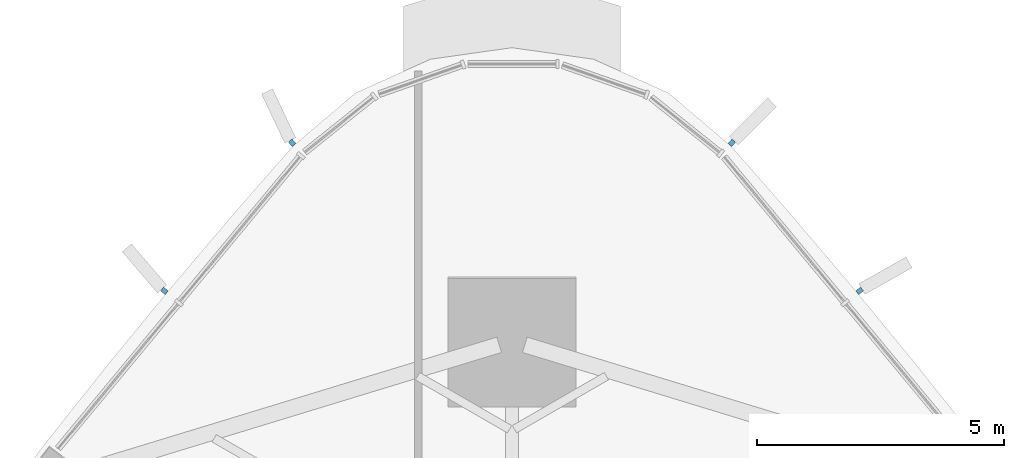
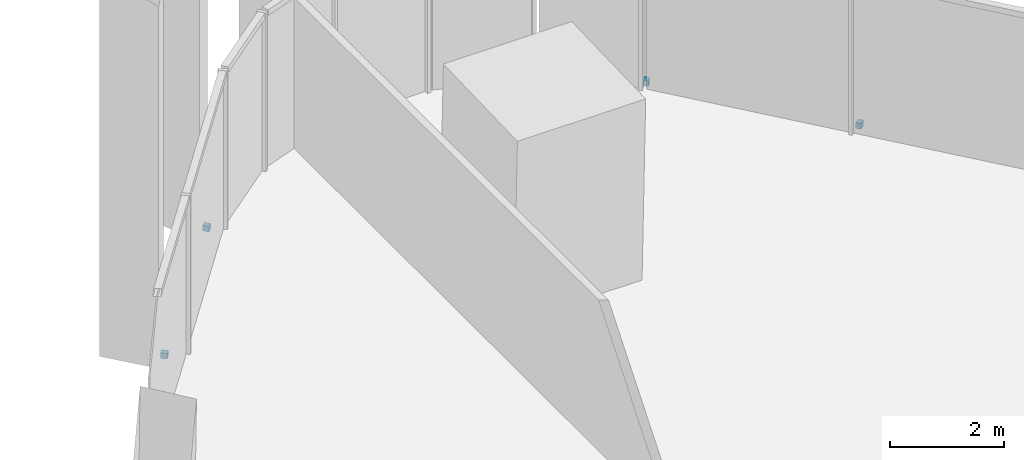
# One storey, part 15 of 19: 4 discrete accessories.
"""IFC4 building model written with IfcOpenShell, lengths in metres."""

from ifc_helpers import new_model, si_unit, direction, frame, origin, origin_2d, place, context, subcontext, project, spatial, rectangle, extrude, material, type_object, element, save


model = new_model("IFC4")

# Units and contexts
model_context = context("Model", 3, precision=1e-05, world=origin(), true_north=direction((0.0, 1.0)))
body_context = subcontext(model_context, "Body", "Model", "MODEL_VIEW")
ifc_project = project(units=[si_unit("LENGTHUNIT", "METRE"), si_unit("AREAUNIT", "SQUARE_METRE"), si_unit("VOLUMEUNIT", "CUBIC_METRE"), si_unit("PLANEANGLEUNIT", "RADIAN"), si_unit("MASSUNIT", "GRAM", prefix="KILO")], contexts=[model_context])

# Site, building, storey
site_placement = place(None, origin())
site = spatial("IfcSite", under=ifc_project, at=site_placement, CompositionType="ELEMENT")
building_placement = place(site_placement, origin())
building = spatial("IfcBuilding", under=site, at=building_placement, Name="Sierra Prisma Convention Tower", CompositionType="ELEMENT")
storey_placement = place(building_placement, frame((0.0, 0.0, 177.800048828125)))
storey = spatial("IfcBuildingStorey", under=building, at=storey_placement, Name="L39", CompositionType="ELEMENT", Elevation=177.800048828125)

# Discrete accessories
ifc_material = material(Name="Stainless steel 316", Category="steel")
discrete_accessory_type = type_object("IfcDiscreteAccessoryType", Name="Fin bracket", PredefinedType="BRACKET", material=ifc_material)
for number, where, z_axis, x_axis, name in (
    (1, (7.044677734375, 28.304931640625, -0.135009765625), (0.0, 0.0, 1.0), (0.772984424196, 0.634424999468, 0.0), "Fin bracket L39.39 base"),
    (2, (4.45556640625, 31.30615234375, -0.135009765625), (0.0, 0.0, 1.0), (0.647121903122, 0.762386544018, 0.0), "Fin bracket L39.40 base"),
    (3, (-4.45556640625, 31.30615234375, -0.135009765625), (0.0, 0.0, 1.0), (-0.647121903122, 0.762386544018, 0.0), "Fin bracket L39.45 base"),
    (4, (-7.044677734375, 28.304931640625, -0.135009765625), (0.0, 0.0, 1.0), (-0.772984424196, 0.634424999468, 0.0), "Fin bracket L39.46 base"),
):
    element("IfcDiscreteAccessory", number, at=place(storey_placement, frame(where, z_axis=z_axis, x_axis=x_axis)), inside=storey, type_object=discrete_accessory_type, Name=name, PredefinedType="BRACKET", context=body_context, shape_type="SweptSolid", body=[
        extrude(rectangle(XDim=0.1201171875, YDim=0.10009765625, at=origin_2d()), origin(), (0.0, 0.0, 1.0), 0.1201171875),
    ])

save(model, "model.ifc")
